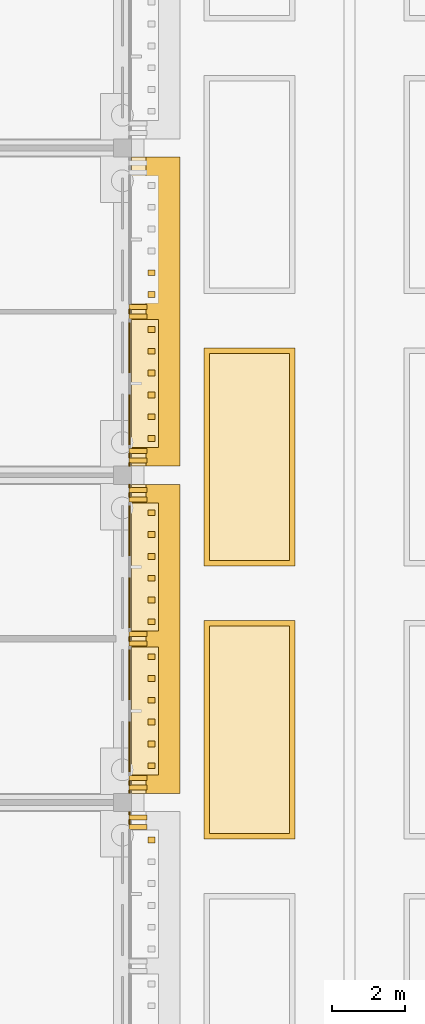
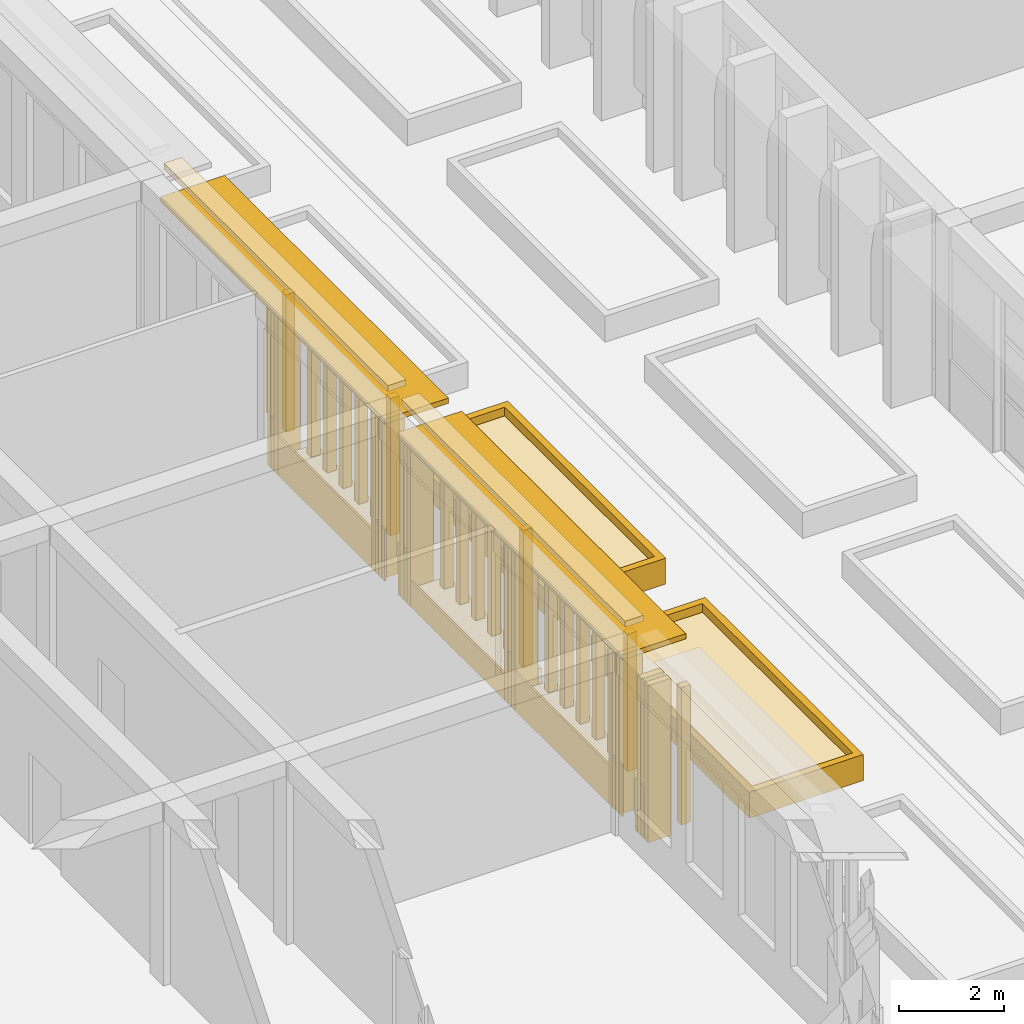
# One storey, part 130 of 161: 55 coverings, 2 shading devices.
"""IFC4 building model written with IfcOpenShell, lengths in metres."""

import ifcopenshell
import ifcopenshell.guid

model = None  # the IFC model being written
_history = None  # IfcOwnerHistory: only IFC2X3 demands one
_inside = {}  # id of a spatial element -> (the spatial element, [elements in it])
_under = {}  # id of a project, library or spatial element -> (it, [spatial elements below it])
_declared = {}  # id of a project -> (the project, [libraries it declares])
_typed = {}  # id of a type object -> (the type object, [elements of that type])
_made_of = {}  # id of a material, layer set ... -> (it, [elements and type objects made of it])


def new_model(schema):
    """Start an empty IFC model of exactly this schema.

    Asked for "IFC4X3", IfcOpenShell would pick the latest addendum, in which some entities
    have other attributes; the version numbers below select the first issue.
    IFC2X3 requires an IfcOwnerHistory on every rooted entity: one is made here for all.
    """
    global model, _history
    if schema == "IFC4X3":
        model = ifcopenshell.file(schema_version=(4, 3, 0, 0))
    else:
        model = ifcopenshell.file(schema=schema)
    _inside.clear()
    _under.clear()
    _declared.clear()
    _typed.clear()
    _made_of.clear()
    _history = None
    if model.schema == "IFC2X3":
        org = make("IfcOrganization", Name="unknown")
        user = make(
            "IfcPersonAndOrganization",
            ThePerson=make("IfcPerson", FamilyName="unknown"),
            TheOrganization=org,
        )
        app = make(
            "IfcApplication",
            ApplicationDeveloper=org,
            Version="unknown",
            ApplicationFullName="unknown",
            ApplicationIdentifier="unknown",
        )
        _history = make(
            "IfcOwnerHistory",
            OwningUser=user,
            OwningApplication=app,
            ChangeAction="ADDED",
            CreationDate=0,
        )
    return model


def make(cls, **values):
    """One entity of the class cls with the attributes given. An attribute that is None is left unset."""
    return model.create_entity(
        cls, **{name: value for name, value in values.items() if value is not None}
    )


def rooted(cls, **values):
    """An entity with a GlobalId (a new one), such as an element, a storey or a relation."""
    return make(cls, GlobalId=ifcopenshell.guid.new(), OwnerHistory=_history, **values)


def si_unit(unit_type, name, prefix=None):
    """IfcSIUnit, for example si_unit("LENGTHUNIT", "METRE", prefix="MILLI")."""
    return make("IfcSIUnit", UnitType=unit_type, Prefix=prefix, Name=name)


def assignment(units):
    """IfcUnitAssignment: the units of a project."""
    return None if units is None else make("IfcUnitAssignment", Units=units)


def point(xyz):
    """IfcCartesianPoint."""
    return None if xyz is None else make("IfcCartesianPoint", Coordinates=xyz)


def direction(xyz):
    """IfcDirection."""
    return None if xyz is None else make("IfcDirection", DirectionRatios=xyz)


def frame(location, z_axis=None, x_axis=None):
    """IfcAxis2Placement3D, a coordinate frame: its origin and axes. An axis left out is left unset."""
    return make(
        "IfcAxis2Placement3D",
        Location=point(location),
        Axis=direction(z_axis),
        RefDirection=direction(x_axis),
    )


def frame_2d(location, x_axis=None):
    """IfcAxis2Placement2D, a coordinate frame in the plane: its origin and x axis."""
    return make(
        "IfcAxis2Placement2D", Location=point(location), RefDirection=direction(x_axis)
    )


def origin():
    """The frame at (0, 0, 0) with its axes left unset."""
    return frame((0.0, 0.0, 0.0))


def origin_2d():
    """The frame at (0, 0) in the plane with its x axis left unset."""
    return frame_2d((0.0, 0.0))


def place(relative_to, where):
    """IfcLocalPlacement: puts the frame where relative to a parent placement (None: the world)."""
    return make(
        "IfcLocalPlacement", PlacementRelTo=relative_to, RelativePlacement=where
    )


def context(
    kind, dimensions, precision=None, world=None, true_north=None, identifier=None
):
    """IfcGeometricRepresentationContext, for example the 3D "Model" context."""
    return make(
        "IfcGeometricRepresentationContext",
        ContextIdentifier=identifier,
        ContextType=kind,
        CoordinateSpaceDimension=dimensions,
        Precision=precision,
        WorldCoordinateSystem=world,
        TrueNorth=true_north,
    )


def subcontext(parent, identifier, kind, view, scale=None):
    """IfcGeometricRepresentationSubContext, for example "Body" below "Model"."""
    return make(
        "IfcGeometricRepresentationSubContext",
        ContextIdentifier=identifier,
        ContextType=kind,
        ParentContext=parent,
        TargetScale=scale,
        TargetView=view,
    )


def project(units=None, contexts=None):
    """IfcProject with its units and contexts."""
    return rooted(
        "IfcProject",
        Name="project",
        RepresentationContexts=contexts,
        UnitsInContext=assignment(units),
    )


def spatial(cls, under=None, at=None, **own):
    """A site, building, storey or space (cls), placed at a placement, below another one or the project."""
    s = rooted(cls, ObjectPlacement=at, **own)
    if under is not None:
        _under.setdefault(under.id(), (under, []))[1].append(s)
    return s


def polyline(points):
    """IfcPolyline through the points."""
    return make("IfcPolyline", Points=[point(p) for p in points])


def profile(cls, at=None, kind="AREA", **sizes):
    """A parametric profile (cls). Its sizes go by their IFC names, for example OverallWidth=200.0."""
    return make(cls, ProfileType=kind, Position=at, **sizes)


def rectangle(**sizes):
    """IfcRectangleProfileDef."""
    return profile("IfcRectangleProfileDef", **sizes)


def outline(outer, holes=None, kind="AREA"):
    """IfcArbitraryClosedProfileDef: a profile drawn as a closed curve; with holes, ...WithVoids."""
    if holes is None:
        return make("IfcArbitraryClosedProfileDef", ProfileType=kind, OuterCurve=outer)
    return make(
        "IfcArbitraryProfileDefWithVoids",
        ProfileType=kind,
        OuterCurve=outer,
        InnerCurves=holes,
    )


def extrude(swept, where, along, depth):
    """IfcExtrudedAreaSolid: the profile swept, set in the frame where, extruded along a direction by depth."""
    return make(
        "IfcExtrudedAreaSolid",
        SweptArea=swept,
        Position=where,
        ExtrudedDirection=direction(along),
        Depth=depth,
    )


def shape(context_of_items, identifier, shape_type, items):
    """IfcShapeRepresentation: the items that make up one representation, for example the "Body"."""
    return make(
        "IfcShapeRepresentation",
        ContextOfItems=context_of_items,
        RepresentationIdentifier=identifier,
        RepresentationType=shape_type,
        Items=items,
    )


def material(Name=None, Category=None):
    """IfcMaterial."""
    return make("IfcMaterial", Name=Name, Category=Category)


def layer(
    of_material, thickness, ventilated=None, Name=None, Category=None, Priority=None
):
    """IfcMaterialLayer: one layer of a wall or slab, of a material (None: an air gap)."""
    return make(
        "IfcMaterialLayer",
        Material=of_material,
        LayerThickness=thickness,
        IsVentilated=ventilated,
        Name=Name,
        Category=Category,
        Priority=Priority,
    )


def layer_set(layers, Name=None):
    """IfcMaterialLayerSet."""
    return make("IfcMaterialLayerSet", MaterialLayers=layers, LayerSetName=Name)


def made_of(thing, what):
    """Note that an element or type object is made of a material, layer set ...; save() writes the relation."""
    if what is not None:
        _made_of.setdefault(what.id(), (what, []))[1].append(thing)
    return thing


def type_object(cls, material=None, **own):
    """A type object (cls), such as IfcWallType, which elements share."""
    return made_of(rooted(cls, **own), material)


def element(
    cls,
    number,
    at=None,
    inside=None,
    cuts=None,
    type_object=None,
    material=None,
    context=None,
    identifier="Body",
    shape_type=None,
    held_by="IfcProductDefinitionShape",
    body=None,
    shapes=None,
    **own,
):
    """One element of the class cls, such as IfcWall. Its Tag is "e" and its number.

    at: its placement. inside: the storey or other place that contains it. cuts: it is an
    opening in that element (IfcRelVoidsElement). A single representation is given by context,
    identifier, shape_type and body (its items); several are given by shapes. held_by: the class
    of the entity that holds the representations. save() writes the other relations.
    """
    e = rooted(cls, Tag="e%d" % number, ObjectPlacement=at, **own)
    if body is not None:
        shapes = [shape(context, identifier, shape_type, body)]
    if shapes is not None:
        e.Representation = make(held_by, Representations=shapes)
    if inside is not None:
        _inside.setdefault(inside.id(), (inside, []))[1].append(e)
    if cuts is not None:
        rooted(
            "IfcRelVoidsElement", RelatingBuildingElement=cuts, RelatedOpeningElement=e
        )
    if type_object is not None:
        _typed.setdefault(type_object.id(), (type_object, []))[1].append(e)
    return made_of(e, material)


def aggregate(whole, parts):
    """IfcRelAggregates: a whole, such as a stair, and the parts it consists of."""
    return rooted("IfcRelAggregates", RelatingObject=whole, RelatedObjects=parts)


def save(model, path):
    """Write the relations noted so far, then the file.

    IfcRelAggregates (storeys below a building ...), IfcRelContainedInSpatialStructure (elements
    in a storey), IfcRelDefinesByType, IfcRelAssociatesMaterial and IfcRelDeclares: one each for
    every whole, place, type object, material and project.
    """
    for whole, parts in _under.values():
        aggregate(whole, parts)
    for where, things in _inside.values():
        rooted(
            "IfcRelContainedInSpatialStructure",
            RelatedElements=things,
            RelatingStructure=where,
        )
    for kind, things in _typed.values():
        rooted("IfcRelDefinesByType", RelatedObjects=things, RelatingType=kind)
    for what, things in _made_of.values():
        rooted("IfcRelAssociatesMaterial", RelatedObjects=things, RelatingMaterial=what)
    for by, libraries in _declared.values():
        rooted("IfcRelDeclares", RelatingContext=by, RelatedDefinitions=libraries)
    model.write(path)


model = new_model("IFC4")

# Units and contexts
model_context = context("Model", 3, precision=1e-05, world=origin(), true_north=direction((0.0, 1.0)))
body_context = subcontext(model_context, "Body", "Model", "MODEL_VIEW")
ifc_project = project(units=[si_unit("LENGTHUNIT", "METRE"), si_unit("AREAUNIT", "SQUARE_METRE"), si_unit("VOLUMEUNIT", "CUBIC_METRE"), si_unit("PLANEANGLEUNIT", "RADIAN"), si_unit("MASSUNIT", "GRAM", prefix="KILO")], contexts=[model_context])

# Site, building, storey
site_placement = place(None, origin())
site = spatial("IfcSite", under=ifc_project, at=site_placement, CompositionType="ELEMENT")
building_placement = place(site_placement, origin())
building = spatial("IfcBuilding", under=site, at=building_placement, Name="Elbe Cascade School", CompositionType="ELEMENT")
storey_placement = place(building_placement, origin())
storey = spatial("IfcBuildingStorey", under=building, at=storey_placement, Name="L00", CompositionType="ELEMENT", Elevation=0.0)

# Shading devices
ifc_material_1 = material(Name="Precast concrete C30/37", Category="concrete")
ifc_layer_1 = layer(ifc_material_1, 0.1201171875)
ifc_layer_set_1 = layer_set([ifc_layer_1], Name="Precast concrete C30/37")
shading_device_type = type_object("IfcShadingDeviceType", Name="Bars envelope Chhajja eave, precast concrete, 1400 x 120", PredefinedType="USERDEFINED", material=ifc_layer_set_1)
for number, where, z_axis, x_axis, name in (
    (1, (146.179931640625, 28.5, 3.6298828125), (0.0, 0.0, 1.0), (0.0, 1.0, 0.0), "Chhajja eave SD8 C.L00.e3"),
    (2, (146.179931640625, 37.5, 3.6298828125), (0.0, 0.0, 1.0), (0.0, 1.0, 0.0), "Chhajja eave SD8 C.L00.e4"),
):
    element("IfcShadingDevice", number, at=place(storey_placement, frame(where, z_axis=z_axis, x_axis=x_axis)), inside=storey, type_object=shading_device_type, Name=name, ObjectType="CHHAJJA", PredefinedType="USERDEFINED", context=body_context, shape_type="SweptSolid", body=[
        extrude(rectangle(XDim=8.5, YDim=1.39990234375, at=origin_2d()), origin(), (0.0, 0.0, 1.0), 0.1201171875),
    ])

# Coverings
ifc_material_2 = material(Name="Precast concrete C40/50", Category="concrete")
covering_type_1 = type_object("IfcCoveringType", Name="Bars envelope Precast concrete fin, 140 wide, 500 deep", PredefinedType="CLADDING", material=ifc_material_2)
for number, where, z_axis, x_axis, name in (
    (3, (145.72998046875, 23.330078125, 0.0), (0.0, 0.0, 1.0), (0.0, 1.0, 0.0), "Fin CV62 C.L00.e2.5"),
    (4, (145.72998046875, 23.590087890625, 0.0), (0.0, 0.0, 1.0), (0.0, 1.0, 0.0), "Fin CV62 C.L00.e2.6"),
    (5, (145.72998046875, 24.409912109375, 0.0), (0.0, 0.0, 1.0), (0.0, 1.0, 0.0), "Fin CV62 C.L00.e3.1"),
    (6, (145.72998046875, 24.669921875, 0.0), (0.0, 0.0, 1.0), (0.0, 1.0, 0.0), "Fin CV62 C.L00.e3.2"),
    (7, (145.72998046875, 28.3701171875, 0.0), (0.0, 0.0, 1.0), (0.0, 1.0, 0.0), "Fin CV62 C.L00.e3.3"),
    (8, (145.72998046875, 28.6298828125, 0.0), (0.0, 0.0, 1.0), (0.0, 1.0, 0.0), "Fin CV62 C.L00.e3.4"),
    (9, (145.72998046875, 32.330078125, 0.0), (0.0, 0.0, 1.0), (0.0, 1.0, 0.0), "Fin CV62 C.L00.e3.5"),
    (10, (145.72998046875, 32.590087890625, 0.0), (0.0, 0.0, 1.0), (0.0, 1.0, 0.0), "Fin CV62 C.L00.e3.6"),
    (11, (145.72998046875, 33.409912109375, 0.0), (0.0, 0.0, 1.0), (0.0, 1.0, 0.0), "Fin CV62 C.L00.e4.1"),
    (12, (145.72998046875, 33.669921875, 0.0), (0.0, 0.0, 1.0), (0.0, 1.0, 0.0), "Fin CV62 C.L00.e4.2"),
    (13, (145.72998046875, 37.3701171875, 0.0), (0.0, 0.0, 1.0), (0.0, 1.0, 0.0), "Fin CV62 C.L00.e4.3"),
    (14, (145.72998046875, 37.6298828125, 0.0), (0.0, 0.0, 1.0), (0.0, 1.0, 0.0), "Fin CV62 C.L00.e4.4"),
):
    element("IfcCovering", number, at=place(storey_placement, frame(where, z_axis=z_axis, x_axis=x_axis)), inside=storey, type_object=covering_type_1, Name=name, PredefinedType="CLADDING", context=body_context, shape_type="SweptSolid", body=[
        extrude(rectangle(XDim=0.139892578125, YDim=0.5, at=origin_2d()), origin(), (0.0, 0.0, 1.0), 3.6298828125),
    ])
ifc_material_3 = material(Name="Sandstone - red", Category="masonry")
ifc_layer_2 = layer(ifc_material_3, 0.0400390625)
ifc_layer_set_2 = layer_set([ifc_layer_2], Name="Sandstone - red")
covering_type_2 = type_object("IfcCoveringType", Name="Bars envelope Sandstone cladding, red, 40 mm", PredefinedType="CLADDING", material=ifc_layer_set_2)
covering_1_placement = place(storey_placement, frame((145.5, 23.4599609375, 0.0), z_axis=(0.0, 0.0, 1.0), x_axis=(0.0, 1.0, 0.0)))
element("IfcCovering", 15, at=covering_1_placement, inside=storey, type_object=covering_type_2, Name="Sandstone cladding CV48 C.L00.e.2.6", PredefinedType="CLADDING", context=body_context, shape_type="SweptSolid", body=[
    extrude(rectangle(XDim=0.1201171875, YDim=0.0400390625, at=origin_2d()), origin(), (0.0, 0.0, 1.0), 1.199951171875),
])
for number, where, z_axis, x_axis, name in (
    (16, (145.5, 23.705078125, 0.0), (0.0, 0.0, 1.0), (0.0, 1.0, 0.0), "Sandstone cladding CV48 C.L00.e.2.7"),
    (17, (145.5, 24.294921875, 0.0), (0.0, 0.0, 1.0), (0.0, 1.0, 0.0), "Sandstone cladding CV48 C.L00.e.3.1"),
):
    element("IfcCovering", number, at=place(storey_placement, frame(where, z_axis=z_axis, x_axis=x_axis)), inside=storey, type_object=covering_type_2, Name=name, PredefinedType="CLADDING", context=body_context, shape_type="SweptSolid", body=[
        extrude(rectangle(XDim=0.090087890625, YDim=0.0400390625, at=origin_2d()), origin(), (0.0, 0.0, 1.0), 1.199951171875),
    ])
covering_2_placement = place(storey_placement, frame((145.5, 24.5400390625, 0.0), z_axis=(0.0, 0.0, 1.0), x_axis=(0.0, 1.0, 0.0)))
element("IfcCovering", 18, at=covering_2_placement, inside=storey, type_object=covering_type_2, Name="Sandstone cladding CV48 C.L00.e.3.2", PredefinedType="CLADDING", context=body_context, shape_type="SweptSolid", body=[
    extrude(rectangle(XDim=0.1201171875, YDim=0.0400390625, at=origin_2d()), origin(), (0.0, 0.0, 1.0), 1.199951171875),
])
covering_3_placement = place(storey_placement, frame((145.5, 26.52001953125, 0.0), z_axis=(0.0, 0.0, 1.0), x_axis=(0.0, 1.0, 0.0)))
element("IfcCovering", 19, at=covering_3_placement, inside=storey, type_object=covering_type_2, Name="Sandstone cladding CV48 C.L00.e.3.3", PredefinedType="CLADDING", context=body_context, shape_type="SweptSolid", body=[
    extrude(rectangle(XDim=3.56005859375, YDim=0.0400390625, at=origin_2d()), origin(), (0.0, 0.0, 1.0), 0.89990234375),
])
covering_4_placement = place(storey_placement, frame((145.5, 28.5, 0.0), z_axis=(0.0, 0.0, 1.0), x_axis=(0.0, 1.0, 0.0)))
element("IfcCovering", 20, at=covering_4_placement, inside=storey, type_object=covering_type_2, Name="Sandstone cladding CV48 C.L00.e.3.4", PredefinedType="CLADDING", context=body_context, shape_type="SweptSolid", body=[
    extrude(rectangle(XDim=0.1201171875, YDim=0.0400390625, at=origin_2d()), origin(), (0.0, 0.0, 1.0), 1.199951171875),
])
covering_5_placement = place(storey_placement, frame((145.5, 30.47998046875, 0.0), z_axis=(0.0, 0.0, 1.0), x_axis=(0.0, 1.0, 0.0)))
element("IfcCovering", 21, at=covering_5_placement, inside=storey, type_object=covering_type_2, Name="Sandstone cladding CV48 C.L00.e.3.5", PredefinedType="CLADDING", context=body_context, shape_type="SweptSolid", body=[
    extrude(rectangle(XDim=3.56005859375, YDim=0.0400390625, at=origin_2d()), origin(), (0.0, 0.0, 1.0), 0.60009765625),
])
covering_6_placement = place(storey_placement, frame((145.5, 32.4599609375, 0.0), z_axis=(0.0, 0.0, 1.0), x_axis=(0.0, 1.0, 0.0)))
element("IfcCovering", 22, at=covering_6_placement, inside=storey, type_object=covering_type_2, Name="Sandstone cladding CV48 C.L00.e.3.6", PredefinedType="CLADDING", context=body_context, shape_type="SweptSolid", body=[
    extrude(rectangle(XDim=0.1201171875, YDim=0.0400390625, at=origin_2d()), origin(), (0.0, 0.0, 1.0), 1.199951171875),
])
for number, where, z_axis, x_axis, name in (
    (23, (145.5, 32.705078125, 0.0), (0.0, 0.0, 1.0), (0.0, 1.0, 0.0), "Sandstone cladding CV48 C.L00.e.3.7"),
    (24, (145.5, 33.294921875, 0.0), (0.0, 0.0, 1.0), (0.0, 1.0, 0.0), "Sandstone cladding CV48 C.L00.e.4.1"),
):
    element("IfcCovering", number, at=place(storey_placement, frame(where, z_axis=z_axis, x_axis=x_axis)), inside=storey, type_object=covering_type_2, Name=name, PredefinedType="CLADDING", context=body_context, shape_type="SweptSolid", body=[
        extrude(rectangle(XDim=0.090087890625, YDim=0.0400390625, at=origin_2d()), origin(), (0.0, 0.0, 1.0), 1.199951171875),
    ])
covering_7_placement = place(storey_placement, frame((145.5, 33.5400390625, 0.0), z_axis=(0.0, 0.0, 1.0), x_axis=(0.0, 1.0, 0.0)))
element("IfcCovering", 25, at=covering_7_placement, inside=storey, type_object=covering_type_2, Name="Sandstone cladding CV48 C.L00.e.4.2", PredefinedType="CLADDING", context=body_context, shape_type="SweptSolid", body=[
    extrude(rectangle(XDim=0.1201171875, YDim=0.0400390625, at=origin_2d()), origin(), (0.0, 0.0, 1.0), 1.199951171875),
])
covering_8_placement = place(storey_placement, frame((145.5, 35.52001953125, 0.0), z_axis=(0.0, 0.0, 1.0), x_axis=(0.0, 1.0, 0.0)))
element("IfcCovering", 26, at=covering_8_placement, inside=storey, type_object=covering_type_2, Name="Sandstone cladding CV48 C.L00.e.4.3", PredefinedType="CLADDING", context=body_context, shape_type="SweptSolid", body=[
    extrude(rectangle(XDim=3.56005859375, YDim=0.0400390625, at=origin_2d()), origin(), (0.0, 0.0, 1.0), 0.89990234375),
])
covering_9_placement = place(storey_placement, frame((145.5, 37.5, 0.0), z_axis=(0.0, 0.0, 1.0), x_axis=(0.0, 1.0, 0.0)))
element("IfcCovering", 27, at=covering_9_placement, inside=storey, type_object=covering_type_2, Name="Sandstone cladding CV48 C.L00.e.4.4", PredefinedType="CLADDING", context=body_context, shape_type="SweptSolid", body=[
    extrude(rectangle(XDim=0.1201171875, YDim=0.0400390625, at=origin_2d()), origin(), (0.0, 0.0, 1.0), 1.199951171875),
])
ifc_material_4 = material(Name="Sandstone - red", Category="masonry")
covering_type_3 = type_object("IfcCoveringType", Name="Bars envelope Sandstone floor ledge, 400 deep", PredefinedType="CLADDING", material=ifc_material_4)
for number, where, z_axis, x_axis, name in (
    (28, (145.75, 28.5, 4.35986328125), (0.0, 0.0, 1.0), (0.0, 1.0, 0.0), "Floor ledge CV64 C.L00.e2.1"),
    (29, (145.75, 37.5, 4.35986328125), (0.0, 0.0, 1.0), (0.0, 1.0, 0.0), "Floor ledge CV64 C.L00.e3.1"),
):
    element("IfcCovering", number, at=place(storey_placement, frame(where, z_axis=z_axis, x_axis=x_axis)), inside=storey, type_object=covering_type_3, Name=name, PredefinedType="CLADDING", context=body_context, shape_type="SweptSolid", body=[
        extrude(rectangle(XDim=8.5, YDim=0.39990234375, at=origin_2d()), origin(), (0.0, 0.0, 1.0), 0.139892578125),
    ])
ifc_material_5 = material(Name="Sandstone - red", Category="masonry")
covering_type_4 = type_object("IfcCoveringType", Name="Bars envelope Sandstone planter kerb, 750 deep", PredefinedType="CLADDING", material=ifc_material_5)
for number, where, z_axis, x_axis, name in (
    (30, (145.925048828125, 26.52001953125, 0.0), (0.0, 0.0, 1.0), (0.0, 1.0, 0.0), "Planter kerb CV65 C.L00.e2.1"),
    (31, (145.925048828125, 30.47998046875, 0.0), (0.0, 0.0, 1.0), (0.0, 1.0, 0.0), "Planter kerb CV65 C.L00.e2.2"),
    (32, (145.925048828125, 35.52001953125, 0.0), (0.0, 0.0, 1.0), (0.0, 1.0, 0.0), "Planter kerb CV65 C.L00.e3.1"),
):
    element("IfcCovering", number, at=place(storey_placement, frame(where, z_axis=z_axis, x_axis=x_axis)), inside=storey, type_object=covering_type_4, Name=name, PredefinedType="CLADDING", context=body_context, shape_type="SweptSolid", body=[
        extrude(rectangle(XDim=3.52001953125, YDim=0.75, at=origin_2d()), origin(), (0.0, 0.0, 1.0), 0.449951171875),
    ])
ifc_material_6 = material(Name="Sandstone - red", Category="masonry")
covering_type_5 = type_object("IfcCoveringType", Name="Bars envelope Sandstone slat, 160 wide, 200 deep", PredefinedType="CLADDING", material=ifc_material_6)
for number, where, z_axis, x_axis, name in (
    (33, (146.10009765625, 22.969970703125, 0.4501953125), (0.0, 0.0, 1.0), (0.0, 1.0, 0.0), "Slat CV66 C.L00.e1.2.6"),
    (34, (146.10009765625, 25.010009765625, 0.4501953125), (0.0, 0.0, 1.0), (0.0, 1.0, 0.0), "Slat CV66 C.L00.e2.1.1"),
    (35, (146.10009765625, 25.610107421875, 0.4501953125), (0.0, 0.0, 1.0), (0.0, 1.0, 0.0), "Slat CV66 C.L00.e2.1.2"),
    (36, (146.10009765625, 26.2099609375, 0.4501953125), (0.0, 0.0, 1.0), (0.0, 1.0, 0.0), "Slat CV66 C.L00.e2.1.3"),
    (37, (146.10009765625, 26.81005859375, 0.4501953125), (0.0, 0.0, 1.0), (0.0, 1.0, 0.0), "Slat CV66 C.L00.e2.1.4"),
    (38, (146.10009765625, 27.409912109375, 0.4501953125), (0.0, 0.0, 1.0), (0.0, 1.0, 0.0), "Slat CV66 C.L00.e2.1.5"),
    (39, (146.10009765625, 28.010009765625, 0.4501953125), (0.0, 0.0, 1.0), (0.0, 1.0, 0.0), "Slat CV66 C.L00.e2.1.6"),
    (40, (146.10009765625, 28.969970703125, 0.4501953125), (0.0, 0.0, 1.0), (0.0, 1.0, 0.0), "Slat CV66 C.L00.e2.2.1"),
    (41, (146.10009765625, 29.570068359375, 0.4501953125), (0.0, 0.0, 1.0), (0.0, 1.0, 0.0), "Slat CV66 C.L00.e2.2.2"),
    (42, (146.10009765625, 30.169921875, 0.4501953125), (0.0, 0.0, 1.0), (0.0, 1.0, 0.0), "Slat CV66 C.L00.e2.2.3"),
    (43, (146.10009765625, 30.77001953125, 0.4501953125), (0.0, 0.0, 1.0), (0.0, 1.0, 0.0), "Slat CV66 C.L00.e2.2.4"),
    (44, (146.10009765625, 31.3701171875, 0.4501953125), (0.0, 0.0, 1.0), (0.0, 1.0, 0.0), "Slat CV66 C.L00.e2.2.5"),
    (45, (146.10009765625, 31.969970703125, 0.4501953125), (0.0, 0.0, 1.0), (0.0, 1.0, 0.0), "Slat CV66 C.L00.e2.2.6"),
    (46, (146.10009765625, 34.010009765625, 0.4501953125), (0.0, 0.0, 1.0), (0.0, 1.0, 0.0), "Slat CV66 C.L00.e3.1.1"),
    (47, (146.10009765625, 34.610107421875, 0.4501953125), (0.0, 0.0, 1.0), (0.0, 1.0, 0.0), "Slat CV66 C.L00.e3.1.2"),
    (48, (146.10009765625, 35.2099609375, 0.4501953125), (0.0, 0.0, 1.0), (0.0, 1.0, 0.0), "Slat CV66 C.L00.e3.1.3"),
    (49, (146.10009765625, 35.81005859375, 0.4501953125), (0.0, 0.0, 1.0), (0.0, 1.0, 0.0), "Slat CV66 C.L00.e3.1.4"),
    (50, (146.10009765625, 36.409912109375, 0.4501953125), (0.0, 0.0, 1.0), (0.0, 1.0, 0.0), "Slat CV66 C.L00.e3.1.5"),
    (51, (146.10009765625, 37.010009765625, 0.4501953125), (0.0, 0.0, 1.0), (0.0, 1.0, 0.0), "Slat CV66 C.L00.e3.1.6"),
    (52, (146.10009765625, 37.969970703125, 0.4501953125), (0.0, 0.0, 1.0), (0.0, 1.0, 0.0), "Slat CV66 C.L00.e3.2.1"),
    (53, (146.10009765625, 38.570068359375, 0.4501953125), (0.0, 0.0, 1.0), (0.0, 1.0, 0.0), "Slat CV66 C.L00.e3.2.2"),
):
    element("IfcCovering", number, at=place(storey_placement, frame(where, z_axis=z_axis, x_axis=x_axis)), inside=storey, type_object=covering_type_5, Name=name, PredefinedType="CLADDING", context=body_context, shape_type="SweptSolid", body=[
        extrude(rectangle(XDim=0.159912109375, YDim=0.199951171875, at=origin_2d()), origin(), (0.0, 0.0, 1.0), 3.179931640625),
    ])
ifc_material_7 = material(Name="Planting - soil and shrubs", Category="soil")
ifc_layer_3 = layer(ifc_material_7, 0.39990234375)
ifc_layer_set_3 = layer_set([ifc_layer_3], Name="Planting - soil and shrubs")
covering_type_6 = type_object("IfcCoveringType", Name="Site planting bed 400", PredefinedType="USERDEFINED", material=ifc_layer_set_3)
covering_10_placement = place(storey_placement, origin())
element("IfcCovering", 54, at=covering_10_placement, inside=storey, type_object=covering_type_6, Name="Court C-D planting bed west 3", ObjectType="PLANTING BED", PredefinedType="USERDEFINED", context=body_context, shape_type="SweptSolid", body=[
    extrude(outline(polyline([(147.699951171875, 23.14990234375), (149.89990234375, 23.14990234375), (149.89990234375, 28.85009765625), (147.699951171875, 28.85009765625), (147.699951171875, 23.14990234375)])), origin(), (0.0, 0.0, 1.0), 0.39990234375),
])
covering_11_placement = place(storey_placement, origin())
element("IfcCovering", 55, at=covering_11_placement, inside=storey, type_object=covering_type_6, Name="Court C-D planting bed west 4", ObjectType="PLANTING BED", PredefinedType="USERDEFINED", context=body_context, shape_type="SweptSolid", body=[
    extrude(outline(polyline([(147.699951171875, 30.64990234375), (149.89990234375, 30.64990234375), (149.89990234375, 36.35009765625), (147.699951171875, 36.35009765625), (147.699951171875, 30.64990234375)])), origin(), (0.0, 0.0, 1.0), 0.39990234375),
])
ifc_material_8 = material(Name="Concrete C30/37 precast kerb", Category="concrete")
ifc_layer_4 = layer(ifc_material_8, 0.14990234375)
ifc_layer_set_4 = layer_set([ifc_layer_4], Name="Concrete C30/37 precast kerb")
covering_type_7 = type_object("IfcCoveringType", Name="Site planting bed kerb 150x600", PredefinedType="CLADDING", material=ifc_layer_set_4)
covering_12_placement = place(storey_placement, origin())
element("IfcCovering", 56, at=covering_12_placement, inside=storey, type_object=covering_type_7, Name="Court C-D planting bed kerb west 3", PredefinedType="CLADDING", context=body_context, shape_type="SweptSolid", body=[
    extrude(outline(polyline([(147.550048828125, 23.0), (150.050048828125, 23.0), (150.050048828125, 29.0), (147.550048828125, 29.0), (147.550048828125, 23.0)]), holes=[polyline([(147.699951171875, 23.14990234375), (149.89990234375, 23.14990234375), (149.89990234375, 28.85009765625), (147.699951171875, 28.85009765625), (147.699951171875, 23.14990234375)])]), origin(), (0.0, 0.0, 1.0), 0.60009765625),
])
covering_13_placement = place(storey_placement, origin())
element("IfcCovering", 57, at=covering_13_placement, inside=storey, type_object=covering_type_7, Name="Court C-D planting bed kerb west 4", PredefinedType="CLADDING", context=body_context, shape_type="SweptSolid", body=[
    extrude(outline(polyline([(147.550048828125, 30.5), (150.050048828125, 30.5), (150.050048828125, 36.5), (147.550048828125, 36.5), (147.550048828125, 30.5)]), holes=[polyline([(147.699951171875, 30.64990234375), (149.89990234375, 30.64990234375), (149.89990234375, 36.35009765625), (147.699951171875, 36.35009765625), (147.699951171875, 30.64990234375)])]), origin(), (0.0, 0.0, 1.0), 0.60009765625),
])

save(model, "model.ifc")
